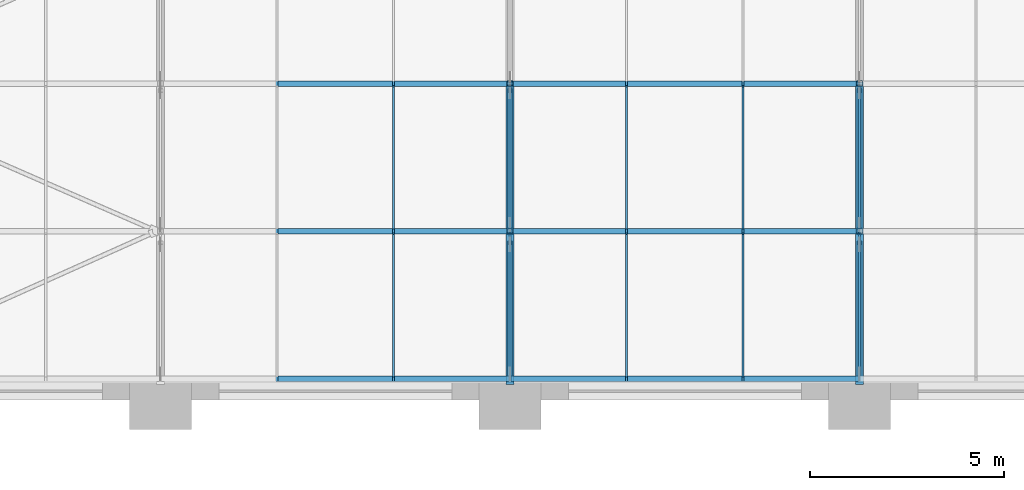
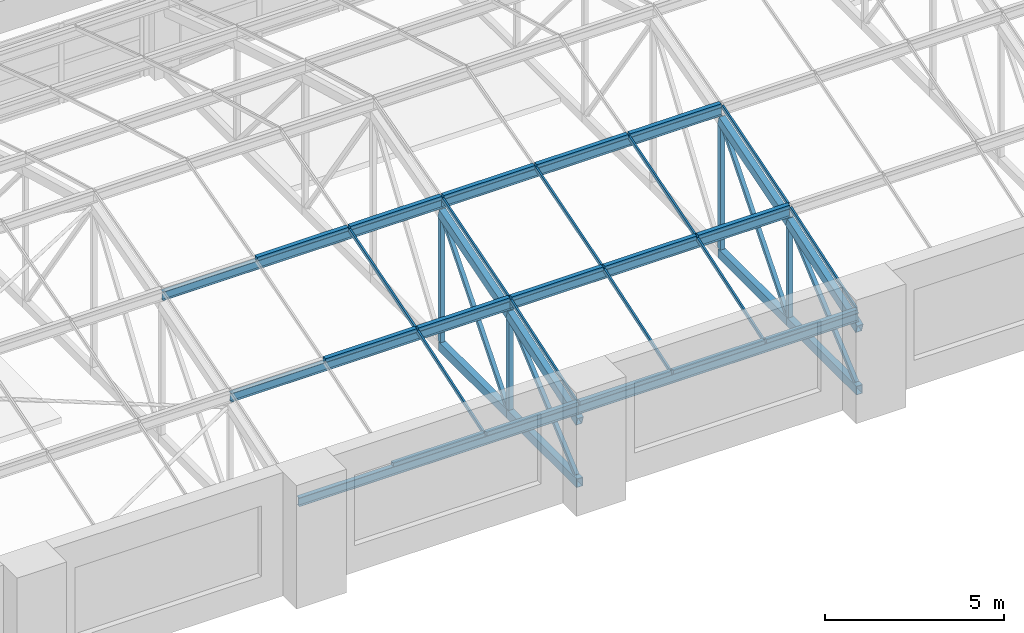
# One storey, part 10 of 82: 47 members, 1 element without a shape of its own.
"""IFC4 building model written with IfcOpenShell, lengths in metres."""

from ifc_helpers import new_model, si_unit, direction, frame, origin, origin_2d, place, context, subcontext, project, spatial, rectangle, hollow_rectangle, i_section, extrude, material, material_profile, profile_set, type_object, element, aggregate, save


model = new_model("IFC4")

# Units and contexts
model_context = context("Model", 3, precision=1e-05, world=origin(), true_north=direction((0.0, 1.0)))
body_context = subcontext(model_context, "Body", "Model", "MODEL_VIEW")
ifc_project = project(units=[si_unit("LENGTHUNIT", "METRE"), si_unit("AREAUNIT", "SQUARE_METRE"), si_unit("VOLUMEUNIT", "CUBIC_METRE"), si_unit("PLANEANGLEUNIT", "RADIAN"), si_unit("MASSUNIT", "GRAM", prefix="KILO")], contexts=[model_context])

# Site, building, storey
site_placement = place(None, origin())
site = spatial("IfcSite", under=ifc_project, at=site_placement, CompositionType="ELEMENT")
building_placement = place(site_placement, origin())
building = spatial("IfcBuilding", under=site, at=building_placement, Name="Aravalli Gate Trade Fair Centre", CompositionType="ELEMENT")
storey_placement = place(building_placement, frame((0.0, 0.0, 19.199951171875)))
storey = spatial("IfcBuildingStorey", under=building, at=storey_placement, Name="L04", CompositionType="ELEMENT", Elevation=19.199951171875)

# Members
ifc_material_1 = material(Name="Steel E350", Category="steel")
ifc_material_profile_1 = material_profile(ifc_material_1, i_section(OverallWidth=0.139892578125, OverallDepth=0.300048828125, WebThickness=0.0078125, FlangeThickness=0.01318359375, at=origin_2d()), Name="ISMB 300")
ifc_profile_set_1 = profile_set([ifc_material_profile_1], Name="Steel E350")
member_type_1 = type_object("IfcMemberType", Name="ISMB 300 roof purlin", PredefinedType="PURLIN", material=ifc_profile_set_1)
for number, where, z_axis, x_axis, name in (
    (1, (24.0, 109.699951171875, 2.60302734375), (1.0, 0.0, 0.0), (0.0, 1.0, 0.0), "Vault purlin 03-04 F0"),
    (2, (24.0, 113.5, 3.851318359375), (1.0, 0.0, 0.0), (0.0, 1.0, 0.0), "Vault purlin 03-04 F1"),
    (3, (24.0, 117.300048828125, 4.999267578125), (1.0, 0.0, 0.0), (0.0, 1.0, 0.0), "Vault purlin 03-04 F2"),
    (4, (33.0, 109.699951171875, 2.60302734375), (1.0, 0.0, 0.0), (0.0, 1.0, 0.0), "Vault purlin 04-05 F0"),
    (5, (33.0, 113.5, 3.851318359375), (1.0, 0.0, 0.0), (0.0, 1.0, 0.0), "Vault purlin 04-05 F1"),
    (6, (33.0, 117.300048828125, 4.999267578125), (1.0, 0.0, 0.0), (0.0, 1.0, 0.0), "Vault purlin 04-05 F2"),
):
    element("IfcMember", number, at=place(storey_placement, frame(where, z_axis=z_axis, x_axis=x_axis)), inside=storey, type_object=member_type_1, Name=name, PredefinedType="PURLIN", context=body_context, shape_type="SweptSolid", body=[
        extrude(i_section(OverallWidth=0.139892578125, OverallDepth=0.300048828125, WebThickness=0.0078125, FlangeThickness=0.01318359375, at=origin_2d()), origin(), (0.0, 0.0, 1.0), 9.0),
    ])
ifc_material_profile_2 = material_profile(ifc_material_1, hollow_rectangle(XDim=0.199951171875, YDim=0.300048828125, WallThickness=0.011962890625, at=origin_2d()), Name="RHS 300x200x12")
ifc_profile_set_2 = profile_set([ifc_material_profile_2], Name="Steel E350")
member_type_2 = type_object("IfcMemberType", Name="RHS 300x200x12 CT1 truss chord", PredefinedType="CHORD", material=ifc_profile_set_2)
member_1_placement = place(storey_placement, frame((33.0, 109.60009765625, 2.2392578125), z_axis=(0.0, 0.949918822061, 0.312496770373), x_axis=(-1.0, 0.0, 0.0)))
element("IfcMember", 7, at=member_1_placement, inside=storey, type_object=member_type_2, Name="Concourse vault truss CT1 line 04 top chord T1", PredefinedType="CHORD", context=body_context, shape_type="SweptSolid", body=[
    extrude(hollow_rectangle(XDim=0.199951171875, YDim=0.300048828125, WallThickness=0.011962890625, at=origin_2d()), origin(), (0.0, 0.0, 1.0), 4.10546875),
])
member_2_placement = place(storey_placement, frame((33.0, 109.60009765625, 0.150146484375), z_axis=(0.0, 1.0, 0.0), x_axis=(-1.0, 0.0, 0.0)))
element("IfcMember", 8, at=member_2_placement, inside=storey, type_object=member_type_2, Name="Concourse vault truss CT1 line 04 bottom chord B1", PredefinedType="CHORD", context=body_context, shape_type="SweptSolid", body=[
    extrude(hollow_rectangle(XDim=0.199951171875, YDim=0.300048828125, WallThickness=0.011962890625, at=origin_2d()), origin(), (0.0, 0.0, 1.0), 3.89990234375),
])
member_3_placement = place(storey_placement, frame((33.0, 113.5, 3.5234375), z_axis=(0.0, 0.957138110877, 0.289631898634), x_axis=(-1.0, 0.0, 0.0)))
element("IfcMember", 9, at=member_3_placement, inside=storey, type_object=member_type_2, Name="Concourse vault truss CT1 line 04 top chord T2", PredefinedType="CHORD", context=body_context, shape_type="SweptSolid", body=[
    extrude(hollow_rectangle(XDim=0.199951171875, YDim=0.300048828125, WallThickness=0.011962890625, at=origin_2d()), origin(), (0.0, 0.0, 1.0), 3.97021484375),
])
member_4_placement = place(storey_placement, frame((33.0, 113.5, 0.150146484375), z_axis=(0.0, 1.0, 0.0), x_axis=(-1.0, 0.0, 0.0)))
element("IfcMember", 10, at=member_4_placement, inside=storey, type_object=member_type_2, Name="Concourse vault truss CT1 line 04 bottom chord B2", PredefinedType="CHORD", context=body_context, shape_type="SweptSolid", body=[
    extrude(hollow_rectangle(XDim=0.199951171875, YDim=0.300048828125, WallThickness=0.011962890625, at=origin_2d()), origin(), (0.0, 0.0, 1.0), 3.800048828125),
])
member_5_placement = place(storey_placement, frame((42.0, 109.60009765625, 2.2392578125), z_axis=(0.0, 0.949918822061, 0.312496770373), x_axis=(-1.0, 0.0, 0.0)))
element("IfcMember", 11, at=member_5_placement, inside=storey, type_object=member_type_2, Name="Concourse vault truss CT1 line 05 top chord T1", PredefinedType="CHORD", context=body_context, shape_type="SweptSolid", body=[
    extrude(hollow_rectangle(XDim=0.199951171875, YDim=0.300048828125, WallThickness=0.011962890625, at=origin_2d()), origin(), (0.0, 0.0, 1.0), 4.10546875),
])
member_6_placement = place(storey_placement, frame((42.0, 109.60009765625, 0.150146484375), z_axis=(0.0, 1.0, 0.0), x_axis=(-1.0, 0.0, 0.0)))
element("IfcMember", 12, at=member_6_placement, inside=storey, type_object=member_type_2, Name="Concourse vault truss CT1 line 05 bottom chord B1", PredefinedType="CHORD", context=body_context, shape_type="SweptSolid", body=[
    extrude(hollow_rectangle(XDim=0.199951171875, YDim=0.300048828125, WallThickness=0.011962890625, at=origin_2d()), origin(), (0.0, 0.0, 1.0), 3.89990234375),
])
member_7_placement = place(storey_placement, frame((42.0, 113.5, 3.5234375), z_axis=(0.0, 0.957138110877, 0.289631898634), x_axis=(-1.0, 0.0, 0.0)))
element("IfcMember", 13, at=member_7_placement, inside=storey, type_object=member_type_2, Name="Concourse vault truss CT1 line 05 top chord T2", PredefinedType="CHORD", context=body_context, shape_type="SweptSolid", body=[
    extrude(hollow_rectangle(XDim=0.199951171875, YDim=0.300048828125, WallThickness=0.011962890625, at=origin_2d()), origin(), (0.0, 0.0, 1.0), 3.97021484375),
])
member_8_placement = place(storey_placement, frame((42.0, 113.5, 0.150146484375), z_axis=(0.0, 1.0, 0.0), x_axis=(-1.0, 0.0, 0.0)))
element("IfcMember", 14, at=member_8_placement, inside=storey, type_object=member_type_2, Name="Concourse vault truss CT1 line 05 bottom chord B2", PredefinedType="CHORD", context=body_context, shape_type="SweptSolid", body=[
    extrude(hollow_rectangle(XDim=0.199951171875, YDim=0.300048828125, WallThickness=0.011962890625, at=origin_2d()), origin(), (0.0, 0.0, 1.0), 3.800048828125),
])
ifc_material_profile_3 = material_profile(ifc_material_1, hollow_rectangle(XDim=0.125, YDim=0.125, WallThickness=0.006103515625, at=origin_2d()), Name="SHS 125x125x6")
ifc_profile_set_3 = profile_set([ifc_material_profile_3], Name="Steel E350")
member_type_3 = type_object("IfcMemberType", Name="SHS 125x125x6 CT1 truss diagonal", PredefinedType="BRACE", material=ifc_profile_set_3)
member_9_placement = place(storey_placement, frame((33.0, 109.7734375, 0.300048828125), z_axis=(0.0, 0.756430814482, 0.654073713661), x_axis=(-1.0, 0.0, 0.0)))
element("IfcMember", 15, at=member_9_placement, inside=storey, type_object=member_type_3, Name="Concourse vault truss CT1 line 04 diagonal D1", PredefinedType="BRACE", context=body_context, shape_type="SweptSolid", body=[
    extrude(hollow_rectangle(XDim=0.125, YDim=0.125, WallThickness=0.006103515625, at=origin_2d()), origin(), (0.0, 0.0, 1.0), 4.53662109375),
])
member_10_placement = place(storey_placement, frame((33.0, 113.6259765625, 0.300048828125), z_axis=(0.0, 0.643253159982, 0.765653558845), x_axis=(-1.0, 0.0, 0.0)))
element("IfcMember", 16, at=member_10_placement, inside=storey, type_object=member_type_3, Name="Concourse vault truss CT1 line 04 diagonal D2", PredefinedType="BRACE", context=body_context, shape_type="SweptSolid", body=[
    extrude(hollow_rectangle(XDim=0.125, YDim=0.125, WallThickness=0.006103515625, at=origin_2d()), origin(), (0.0, 0.0, 1.0), 5.437255859375),
])
member_11_placement = place(storey_placement, frame((42.0, 109.7734375, 0.300048828125), z_axis=(0.0, 0.756430814482, 0.654073713661), x_axis=(-1.0, 0.0, 0.0)))
element("IfcMember", 17, at=member_11_placement, inside=storey, type_object=member_type_3, Name="Concourse vault truss CT1 line 05 diagonal D1", PredefinedType="BRACE", context=body_context, shape_type="SweptSolid", body=[
    extrude(hollow_rectangle(XDim=0.125, YDim=0.125, WallThickness=0.006103515625, at=origin_2d()), origin(), (0.0, 0.0, 1.0), 4.53662109375),
])
member_12_placement = place(storey_placement, frame((42.0, 113.6259765625, 0.300048828125), z_axis=(0.0, 0.643253159982, 0.765653558845), x_axis=(-1.0, 0.0, 0.0)))
element("IfcMember", 18, at=member_12_placement, inside=storey, type_object=member_type_3, Name="Concourse vault truss CT1 line 05 diagonal D2", PredefinedType="BRACE", context=body_context, shape_type="SweptSolid", body=[
    extrude(hollow_rectangle(XDim=0.125, YDim=0.125, WallThickness=0.006103515625, at=origin_2d()), origin(), (0.0, 0.0, 1.0), 5.437255859375),
])
ifc_material_profile_4 = material_profile(ifc_material_1, hollow_rectangle(XDim=0.14990234375, YDim=0.14990234375, WallThickness=0.006103515625, at=origin_2d()), Name="SHS 150x150x6")
ifc_profile_set_4 = profile_set([ifc_material_profile_4], Name="Steel E350")
member_type_4 = type_object("IfcMemberType", Name="SHS 150x150x6 CT1 truss post", PredefinedType="POST", material=ifc_profile_set_4)
member_13_placement = place(storey_placement, frame((33.0, 113.5, 0.300048828125), z_axis=(0.0, 0.0, 1.0), x_axis=(1.0, 0.0, 0.0)))
element("IfcMember", 19, at=member_13_placement, inside=storey, type_object=member_type_4, Name="Concourse vault truss CT1 line 04 post V1", PredefinedType="POST", context=body_context, shape_type="SweptSolid", body=[
    extrude(hollow_rectangle(XDim=0.14990234375, YDim=0.14990234375, WallThickness=0.006103515625, at=origin_2d()), origin(), (0.0, 0.0, 1.0), 3.064208984375),
])
member_14_placement = place(storey_placement, frame((33.0, 117.300048828125, 0.300048828125), z_axis=(0.0, 0.0, 1.0), x_axis=(1.0, 0.0, 0.0)))
element("IfcMember", 20, at=member_14_placement, inside=storey, type_object=member_type_4, Name="Concourse vault truss CT1 line 04 post V2", PredefinedType="POST", context=body_context, shape_type="SweptSolid", body=[
    extrude(hollow_rectangle(XDim=0.14990234375, YDim=0.14990234375, WallThickness=0.006103515625, at=origin_2d()), origin(), (0.0, 0.0, 1.0), 4.216552734375),
])
member_15_placement = place(storey_placement, frame((42.0, 113.5, 0.300048828125), z_axis=(0.0, 0.0, 1.0), x_axis=(1.0, 0.0, 0.0)))
element("IfcMember", 21, at=member_15_placement, inside=storey, type_object=member_type_4, Name="Concourse vault truss CT1 line 05 post V1", PredefinedType="POST", context=body_context, shape_type="SweptSolid", body=[
    extrude(hollow_rectangle(XDim=0.14990234375, YDim=0.14990234375, WallThickness=0.006103515625, at=origin_2d()), origin(), (0.0, 0.0, 1.0), 3.064208984375),
])
member_16_placement = place(storey_placement, frame((42.0, 117.300048828125, 0.300048828125), z_axis=(0.0, 0.0, 1.0), x_axis=(1.0, 0.0, 0.0)))
element("IfcMember", 22, at=member_16_placement, inside=storey, type_object=member_type_4, Name="Concourse vault truss CT1 line 05 post V2", PredefinedType="POST", context=body_context, shape_type="SweptSolid", body=[
    extrude(hollow_rectangle(XDim=0.14990234375, YDim=0.14990234375, WallThickness=0.006103515625, at=origin_2d()), origin(), (0.0, 0.0, 1.0), 4.216552734375),
])
ifc_material_2 = material(Name="Aluminium", Category="aluminium")
ifc_material_profile_5 = material_profile(ifc_material_2, rectangle(XDim=0.139892578125, YDim=0.1201171875, at=origin_2d()), Name="Vault fold cap 140 x 120")
ifc_profile_set_5 = profile_set([ifc_material_profile_5], Name="Aluminium")
member_type_5 = type_object("IfcMemberType", Name="Vault fold cap 140 x 120", PredefinedType="USERDEFINED", material=ifc_profile_set_5)
for number, where, z_axis, x_axis, name in (
    (23, (27.030029296875, 109.699951171875, 2.81298828125), (1.0, 0.0, 0.0), (0.0, 1.0, 0.0), "Vault fold cap w5.0"),
    (24, (27.030029296875, 113.5, 4.061279296875), (1.0, 0.0, 0.0), (0.0, 1.0, 0.0), "Vault fold cap w5.1"),
    (25, (27.030029296875, 117.300048828125, 5.209228515625), (1.0, 0.0, 0.0), (0.0, 1.0, 0.0), "Vault fold cap w5.2"),
    (26, (30.030029296875, 109.699951171875, 2.81298828125), (1.0, 0.0, 0.0), (0.0, 1.0, 0.0), "Vault fold cap w6.0"),
    (27, (30.030029296875, 113.5, 4.061279296875), (1.0, 0.0, 0.0), (0.0, 1.0, 0.0), "Vault fold cap w6.1"),
    (28, (30.030029296875, 117.300048828125, 5.209228515625), (1.0, 0.0, 0.0), (0.0, 1.0, 0.0), "Vault fold cap w6.2"),
    (29, (33.030029296875, 109.699951171875, 2.81298828125), (1.0, 0.0, 0.0), (0.0, 1.0, 0.0), "Vault fold cap w7.0"),
    (30, (33.030029296875, 113.5, 4.061279296875), (1.0, 0.0, 0.0), (0.0, 1.0, 0.0), "Vault fold cap w7.1"),
    (31, (33.030029296875, 117.300048828125, 5.209228515625), (1.0, 0.0, 0.0), (0.0, 1.0, 0.0), "Vault fold cap w7.2"),
    (32, (36.030029296875, 109.699951171875, 2.81298828125), (1.0, 0.0, 0.0), (0.0, 1.0, 0.0), "Vault fold cap w8.0"),
    (33, (36.030029296875, 113.5, 4.061279296875), (1.0, 0.0, 0.0), (0.0, 1.0, 0.0), "Vault fold cap w8.1"),
    (34, (36.030029296875, 117.300048828125, 5.209228515625), (1.0, 0.0, 0.0), (0.0, 1.0, 0.0), "Vault fold cap w8.2"),
    (35, (39.030029296875, 109.699951171875, 2.81298828125), (1.0, 0.0, 0.0), (0.0, 1.0, 0.0), "Vault fold cap w9.0"),
    (36, (39.030029296875, 113.5, 4.061279296875), (1.0, 0.0, 0.0), (0.0, 1.0, 0.0), "Vault fold cap w9.1"),
    (37, (39.030029296875, 117.300048828125, 5.209228515625), (1.0, 0.0, 0.0), (0.0, 1.0, 0.0), "Vault fold cap w9.2"),
):
    element("IfcMember", number, at=place(storey_placement, frame(where, z_axis=z_axis, x_axis=x_axis)), inside=storey, type_object=member_type_5, Name=name, ObjectType="FOLD CAP", PredefinedType="USERDEFINED", context=body_context, shape_type="SweptSolid", body=[
        extrude(rectangle(XDim=0.139892578125, YDim=0.1201171875, at=origin_2d()), origin(), (0.0, 0.0, 1.0), 2.93994140625),
    ])

# Curtain wall, members
ifc_material_3 = material(Name="Aluminium and glass", Category="aluminium")
curtain_wall_type = type_object("IfcCurtainWallType", Name="Vault curtain wall, sloped glazing", PredefinedType="NOTDEFINED", material=ifc_material_3)
curtain_wall_placement = place(storey_placement, origin())
curtain_wall = element("IfcCurtainWall", 38, at=curtain_wall_placement, inside=storey, type_object=curtain_wall_type, Name="Vault curtain wall w", PredefinedType="NOTDEFINED")
ifc_material_profile_6 = material_profile(ifc_material_2, rectangle(XDim=0.06005859375, YDim=0.1201171875, at=origin_2d()), Name="Vault glazing bar 60 x 120")
ifc_profile_set_6 = profile_set([ifc_material_profile_6], Name="Aluminium")
member_type_6 = type_object("IfcMemberType", Name="Vault glazing bar 60 x 120", PredefinedType="USERDEFINED", material=ifc_profile_set_6)
member_17_placement = place(storey_placement, frame((30.0, 109.77001953125, 2.81005859375), z_axis=(0.0, 0.949930492103, 0.31246129388), x_axis=(-1.0, 0.0, 0.0)))
member_17 = element("IfcMember", 39, at=member_17_placement, type_object=member_type_6, Name="Vault glazing bar w6.1", ObjectType="GLAZING BAR", PredefinedType="USERDEFINED", context=body_context, shape_type="SweptSolid", body=[
    extrude(rectangle(XDim=0.06005859375, YDim=0.1201171875, at=origin_2d()), origin(), (0.0, 0.0, 1.0), 3.852783203125),
])
member_18_placement = place(storey_placement, frame((30.0, 113.570068359375, 4.05859375), z_axis=(0.0, 0.957125834694, 0.289672464279), x_axis=(-1.0, 0.0, 0.0)))
member_18 = element("IfcMember", 40, at=member_18_placement, type_object=member_type_6, Name="Vault glazing bar w6.2", ObjectType="GLAZING BAR", PredefinedType="USERDEFINED", context=body_context, shape_type="SweptSolid", body=[
    extrude(rectangle(XDim=0.06005859375, YDim=0.1201171875, at=origin_2d()), origin(), (0.0, 0.0, 1.0), 3.823974609375),
])
member_19_placement = place(storey_placement, frame((33.0, 109.77001953125, 2.81005859375), z_axis=(0.0, 0.949930492103, 0.31246129388), x_axis=(-1.0, 0.0, 0.0)))
member_19 = element("IfcMember", 41, at=member_19_placement, type_object=member_type_6, Name="Vault glazing bar w7.1", ObjectType="GLAZING BAR", PredefinedType="USERDEFINED", context=body_context, shape_type="SweptSolid", body=[
    extrude(rectangle(XDim=0.06005859375, YDim=0.1201171875, at=origin_2d()), origin(), (0.0, 0.0, 1.0), 3.852783203125),
])
member_20_placement = place(storey_placement, frame((33.0, 113.570068359375, 4.05859375), z_axis=(0.0, 0.957125834694, 0.289672464279), x_axis=(-1.0, 0.0, 0.0)))
member_20 = element("IfcMember", 42, at=member_20_placement, type_object=member_type_6, Name="Vault glazing bar w7.2", ObjectType="GLAZING BAR", PredefinedType="USERDEFINED", context=body_context, shape_type="SweptSolid", body=[
    extrude(rectangle(XDim=0.06005859375, YDim=0.1201171875, at=origin_2d()), origin(), (0.0, 0.0, 1.0), 3.823974609375),
])
member_21_placement = place(storey_placement, frame((36.0, 109.77001953125, 2.81005859375), z_axis=(0.0, 0.949930492103, 0.31246129388), x_axis=(-1.0, 0.0, 0.0)))
member_21 = element("IfcMember", 43, at=member_21_placement, type_object=member_type_6, Name="Vault glazing bar w8.1", ObjectType="GLAZING BAR", PredefinedType="USERDEFINED", context=body_context, shape_type="SweptSolid", body=[
    extrude(rectangle(XDim=0.06005859375, YDim=0.1201171875, at=origin_2d()), origin(), (0.0, 0.0, 1.0), 3.852783203125),
])
member_22_placement = place(storey_placement, frame((36.0, 113.570068359375, 4.05859375), z_axis=(0.0, 0.957125834694, 0.289672464279), x_axis=(-1.0, 0.0, 0.0)))
member_22 = element("IfcMember", 44, at=member_22_placement, type_object=member_type_6, Name="Vault glazing bar w8.2", ObjectType="GLAZING BAR", PredefinedType="USERDEFINED", context=body_context, shape_type="SweptSolid", body=[
    extrude(rectangle(XDim=0.06005859375, YDim=0.1201171875, at=origin_2d()), origin(), (0.0, 0.0, 1.0), 3.823974609375),
])
member_23_placement = place(storey_placement, frame((39.0, 109.77001953125, 2.81005859375), z_axis=(0.0, 0.949930492103, 0.31246129388), x_axis=(-1.0, 0.0, 0.0)))
member_23 = element("IfcMember", 45, at=member_23_placement, type_object=member_type_6, Name="Vault glazing bar w9.1", ObjectType="GLAZING BAR", PredefinedType="USERDEFINED", context=body_context, shape_type="SweptSolid", body=[
    extrude(rectangle(XDim=0.06005859375, YDim=0.1201171875, at=origin_2d()), origin(), (0.0, 0.0, 1.0), 3.852783203125),
])
member_24_placement = place(storey_placement, frame((39.0, 113.570068359375, 4.05859375), z_axis=(0.0, 0.957125834694, 0.289672464279), x_axis=(-1.0, 0.0, 0.0)))
member_24 = element("IfcMember", 46, at=member_24_placement, type_object=member_type_6, Name="Vault glazing bar w9.2", ObjectType="GLAZING BAR", PredefinedType="USERDEFINED", context=body_context, shape_type="SweptSolid", body=[
    extrude(rectangle(XDim=0.06005859375, YDim=0.1201171875, at=origin_2d()), origin(), (0.0, 0.0, 1.0), 3.823974609375),
])
member_25_placement = place(storey_placement, frame((42.0, 109.77001953125, 2.81005859375), z_axis=(0.0, 0.949930492103, 0.31246129388), x_axis=(-1.0, 0.0, 0.0)))
member_25 = element("IfcMember", 47, at=member_25_placement, type_object=member_type_6, Name="Vault glazing bar w10.1", ObjectType="GLAZING BAR", PredefinedType="USERDEFINED", context=body_context, shape_type="SweptSolid", body=[
    extrude(rectangle(XDim=0.06005859375, YDim=0.1201171875, at=origin_2d()), origin(), (0.0, 0.0, 1.0), 3.852783203125),
])
member_26_placement = place(storey_placement, frame((42.0, 113.570068359375, 4.05859375), z_axis=(0.0, 0.957125834694, 0.289672464279), x_axis=(-1.0, 0.0, 0.0)))
member_26 = element("IfcMember", 48, at=member_26_placement, type_object=member_type_6, Name="Vault glazing bar w10.2", ObjectType="GLAZING BAR", PredefinedType="USERDEFINED", context=body_context, shape_type="SweptSolid", body=[
    extrude(rectangle(XDim=0.06005859375, YDim=0.1201171875, at=origin_2d()), origin(), (0.0, 0.0, 1.0), 3.823974609375),
])
aggregate(curtain_wall, [member_17, member_18, member_19, member_20, member_21, member_22, member_23, member_24, member_25, member_26])

save(model, "model.ifc")
